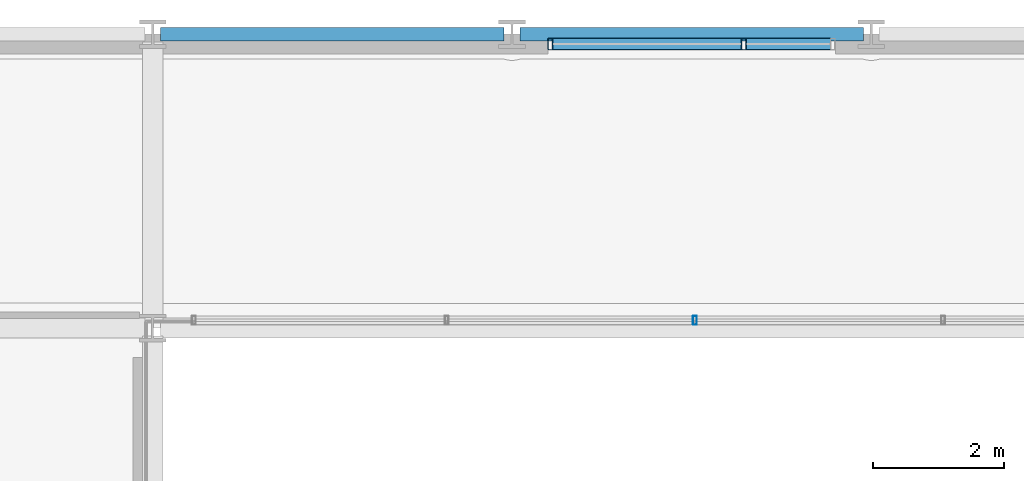
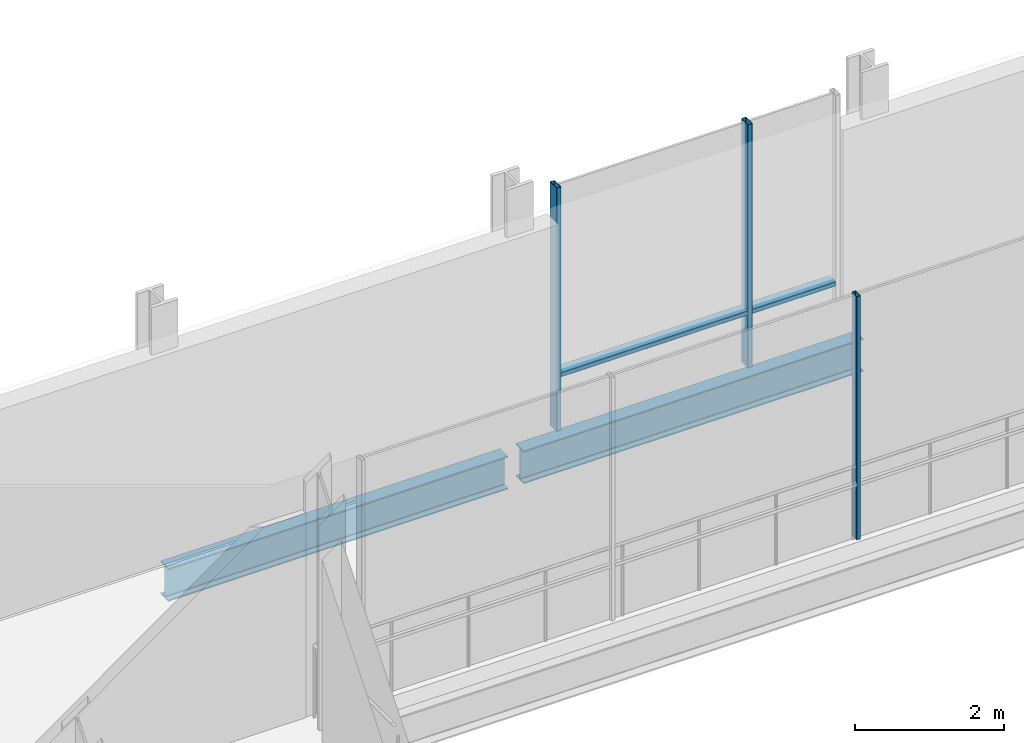
# One storey, part 11 of 32: 5 members, 2 beams, 2 elements without a shape of their own.
"""IFC4 building model written with IfcOpenShell, lengths in metres."""

from ifc_helpers import new_model, si_unit, direction, frame, origin, origin_2d, place, context, subcontext, project, spatial, hollow_rectangle, i_section, extrude, material, layer, layer_set, material_profile, profile_set, type_object, element, aggregate, save


model = new_model("IFC4")

# Units and contexts
model_context = context("Model", 3, precision=1e-05, world=origin(), true_north=direction((0.0, 1.0)))
body_context = subcontext(model_context, "Body", "Model", "MODEL_VIEW")
ifc_project = project(units=[si_unit("LENGTHUNIT", "METRE"), si_unit("AREAUNIT", "SQUARE_METRE"), si_unit("VOLUMEUNIT", "CUBIC_METRE"), si_unit("PLANEANGLEUNIT", "RADIAN"), si_unit("MASSUNIT", "GRAM", prefix="KILO")], contexts=[model_context])

# Site, building, storey
site_placement = place(None, origin())
site = spatial("IfcSite", under=ifc_project, at=site_placement, CompositionType="ELEMENT")
building_placement = place(site_placement, origin())
building = spatial("IfcBuilding", under=site, at=building_placement, Name="Brevholm Reach", CompositionType="ELEMENT")
storey_placement = place(building_placement, frame((0.0, 0.0, 134.5)))
storey = spatial("IfcBuildingStorey", under=building, at=storey_placement, Name="L40", CompositionType="ELEMENT", Elevation=134.5)

# Beams
ifc_material_1 = material(Name="Structural Steel S355J2", Category="steel")
ifc_material_profile_1 = material_profile(ifc_material_1, i_section(OverallWidth=0.210693359375, OverallDepth=0.53955078125, WebThickness=0.01171875, FlangeThickness=0.018798828125, FilletRadius=0.0126953125, at=origin_2d()), Name="UKB 533x210x109")
ifc_profile_set_1 = profile_set([ifc_material_profile_1], Name="Structural Steel S355J2")
beam_type = type_object("IfcBeamType", Name="BM-SP539", PredefinedType="SPANDREL", material=ifc_profile_set_1)
for number, where, z_axis, x_axis, name in (
    (1, (21.8701171875, 31.0, -0.519775390625), (1.0, 0.0, 0.0), (0.0, 1.0, 0.0), "L40 SP-01B Framing Beam"),
    (2, (27.3701171875, 31.0, -0.519775390625), (1.0, 0.0, 0.0), (0.0, 1.0, 0.0), "L40 SP-01B Framing Beam"),
):
    element("IfcBeam", number, at=place(storey_placement, frame(where, z_axis=z_axis, x_axis=x_axis)), inside=storey, type_object=beam_type, Name=name, PredefinedType="SPANDREL", context=body_context, shape_type="SweptSolid", body=[
        extrude(i_section(OverallWidth=0.210693359375, OverallDepth=0.53955078125, WebThickness=0.01171875, FlangeThickness=0.018798828125, FilletRadius=0.0126953125, at=origin_2d()), origin(), (0.0, 0.0, 1.0), 5.259765625),
    ])

# Curtain wall, member
ifc_material_2 = material(Name="Dark Anodised Aluminium 6063-T6 and Solar-Control Glass", Category="aluminium")
ifc_layer_1 = layer(ifc_material_2, 0.139892578125)
ifc_layer_set_1 = layer_set([ifc_layer_1], Name="Dark Anodised Aluminium 6063-T6 and Solar-Control Glass")
curtain_wall_type_1 = type_object("IfcCurtainWallType", Name="CW-02", PredefinedType="NOTDEFINED", material=ifc_layer_set_1)
curtain_wall_1_placement = place(storey_placement, origin())
curtain_wall_1 = element("IfcCurtainWall", 3, at=curtain_wall_1_placement, inside=storey, type_object=curtain_wall_type_1, Name="L40 Curtain Wall CW-02", PredefinedType="NOTDEFINED")
ifc_material_3 = material(Name="Dark Anodised Aluminium 6063-T6", Category="aluminium")
ifc_material_profile_2 = material_profile(ifc_material_3, hollow_rectangle(XDim=0.06005859375, YDim=0.139892578125, WallThickness=0.0048828125, InnerFilletRadius=0.0048828125, OuterFilletRadius=0.010009765625, at=origin_2d()), Name="RHS 140x60x5")
ifc_profile_set_2 = profile_set([ifc_material_profile_2], Name="Dark Anodised Aluminium 6063-T6")
member_type_1 = type_object("IfcMemberType", Name="CWM-140", PredefinedType="MULLION", material=ifc_profile_set_2)
member_1_placement = place(storey_placement, frame((30.050048828125, 26.6201171875, 0.0), z_axis=(0.0, 0.0, 1.0), x_axis=(-1.0, 0.0, 0.0)))
member_1 = element("IfcMember", 4, at=member_1_placement, type_object=member_type_1, Name="CM-140 Mullion 3", PredefinedType="MULLION", context=body_context, shape_type="SweptSolid", body=[
    extrude(hollow_rectangle(XDim=0.06005859375, YDim=0.139892578125, WallThickness=0.0048828125, InnerFilletRadius=0.0048828125, OuterFilletRadius=0.010009765625, at=origin_2d()), origin(), (0.0, 0.0, 1.0), 3.97998046875),
])
aggregate(curtain_wall_1, [member_1])

# Curtain wall, members
ifc_material_4 = material(Name="Dark Anodised Aluminium 6063-T6 and Solar-Control Glass", Category="aluminium")
ifc_layer_2 = layer(ifc_material_4, 0.179931640625)
ifc_layer_set_2 = layer_set([ifc_layer_2], Name="Dark Anodised Aluminium 6063-T6 and Solar-Control Glass")
curtain_wall_type_2 = type_object("IfcCurtainWallType", Name="CW-05", PredefinedType="NOTDEFINED", material=ifc_layer_set_2)
curtain_wall_2_placement = place(storey_placement, origin())
curtain_wall_2 = element("IfcCurtainWall", 5, at=curtain_wall_2_placement, inside=storey, type_object=curtain_wall_type_2, Name="L40 Curtain Wall CW-05", PredefinedType="NOTDEFINED")
ifc_material_5 = material(Name="Dark Anodised Aluminium 6063-T6", Category="aluminium")
ifc_material_profile_3 = material_profile(ifc_material_5, hollow_rectangle(XDim=0.074951171875, YDim=0.179931640625, WallThickness=0.006103515625, InnerFilletRadius=0.006103515625, OuterFilletRadius=0.011962890625, at=origin_2d()), Name="RHS 180x75x6")
ifc_profile_set_3 = profile_set([ifc_material_profile_3], Name="Dark Anodised Aluminium 6063-T6")
member_type_2 = type_object("IfcMemberType", Name="CWM-180", PredefinedType="MULLION", material=ifc_profile_set_3)
member_2_placement = place(storey_placement, frame((27.83740234375, 30.85009765625, 0.0), z_axis=(0.0, 0.0, 1.0), x_axis=(1.0, 0.0, 0.0)))
member_2 = element("IfcMember", 6, at=member_2_placement, type_object=member_type_2, Name="CM-180 Mullion 1", PredefinedType="MULLION", context=body_context, shape_type="SweptSolid", body=[
    extrude(hollow_rectangle(XDim=0.074951171875, YDim=0.179931640625, WallThickness=0.006103515625, InnerFilletRadius=0.006103515625, OuterFilletRadius=0.011962890625, at=origin_2d()), origin(), (0.0, 0.0, 1.0), 3.97998046875),
])
member_3_placement = place(storey_placement, frame((30.800048828125, 30.85009765625, 0.0), z_axis=(0.0, 0.0, 1.0), x_axis=(1.0, 0.0, 0.0)))
member_3 = element("IfcMember", 7, at=member_3_placement, type_object=member_type_2, Name="CM-180 Mullion 2", PredefinedType="MULLION", context=body_context, shape_type="SweptSolid", body=[
    extrude(hollow_rectangle(XDim=0.074951171875, YDim=0.179931640625, WallThickness=0.006103515625, InnerFilletRadius=0.006103515625, OuterFilletRadius=0.011962890625, at=origin_2d()), origin(), (0.0, 0.0, 1.0), 3.97998046875),
])
ifc_material_6 = material(Name="Dark Anodised Aluminium 6063-T6", Category="aluminium")
ifc_material_profile_4 = material_profile(ifc_material_6, hollow_rectangle(XDim=0.074951171875, YDim=0.179931640625, WallThickness=0.006103515625, InnerFilletRadius=0.006103515625, OuterFilletRadius=0.011962890625, at=origin_2d()), Name="RHS 180x75x6")
ifc_profile_set_4 = profile_set([ifc_material_profile_4], Name="Dark Anodised Aluminium 6063-T6")
member_type_3 = type_object("IfcMemberType", Name="CWT-180", PredefinedType="NOTDEFINED", material=ifc_profile_set_4)
member_4_placement = place(storey_placement, frame((27.875, 30.85009765625, 0.89990234375), z_axis=(1.0, 0.0, 0.0), x_axis=(0.0, 0.0, 1.0)))
member_4 = element("IfcMember", 8, at=member_4_placement, type_object=member_type_3, Name="CT-180 Transom 1.1", ObjectType="TRANSOM", PredefinedType="USERDEFINED", context=body_context, shape_type="SweptSolid", body=[
    extrude(hollow_rectangle(XDim=0.074951171875, YDim=0.179931640625, WallThickness=0.006103515625, InnerFilletRadius=0.006103515625, OuterFilletRadius=0.011962890625, at=origin_2d()), origin(), (0.0, 0.0, 1.0), 2.887451171875),
])
member_5_placement = place(storey_placement, frame((30.83740234375, 30.85009765625, 0.89990234375), z_axis=(1.0, 0.0, 0.0), x_axis=(0.0, 0.0, 1.0)))
member_5 = element("IfcMember", 9, at=member_5_placement, type_object=member_type_3, Name="CT-180 Transom 2.1", ObjectType="TRANSOM", PredefinedType="USERDEFINED", context=body_context, shape_type="SweptSolid", body=[
    extrude(hollow_rectangle(XDim=0.074951171875, YDim=0.179931640625, WallThickness=0.006103515625, InnerFilletRadius=0.006103515625, OuterFilletRadius=0.011962890625, at=origin_2d()), origin(), (0.0, 0.0, 1.0), 1.28759765625),
])
aggregate(curtain_wall_2, [member_2, member_3, member_4, member_5])

save(model, "model.ifc")
